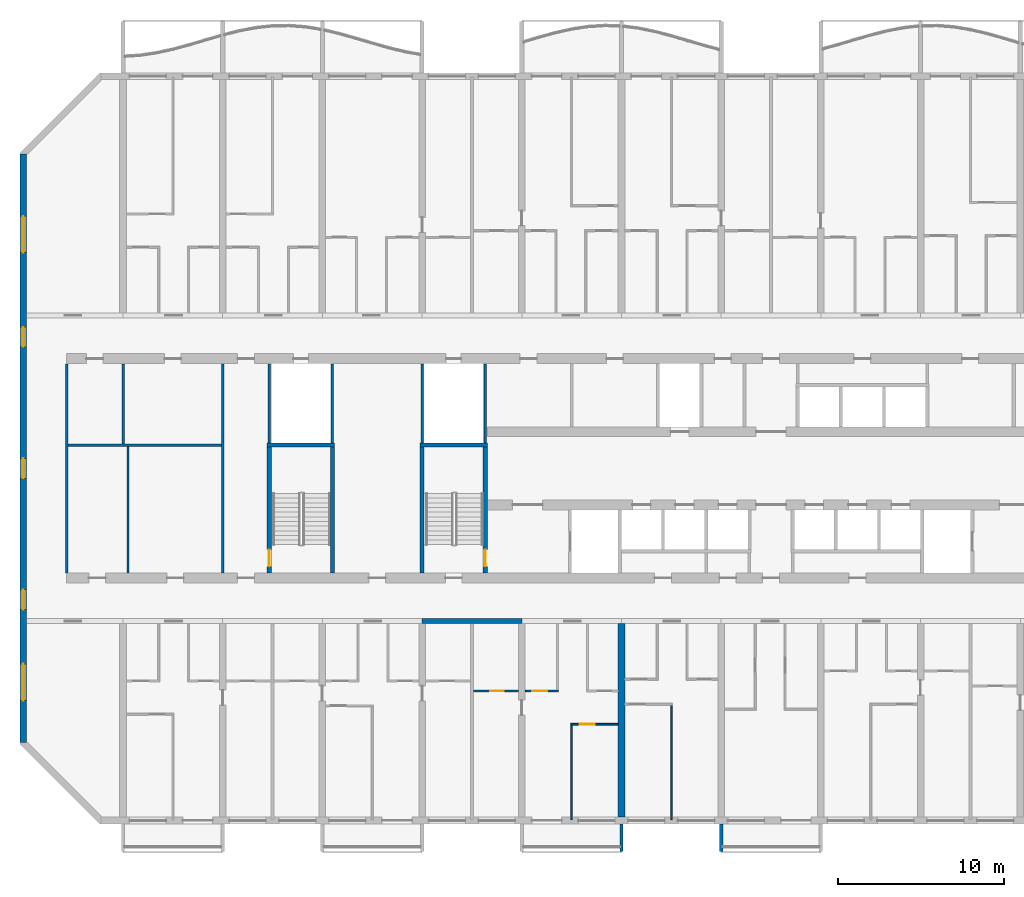
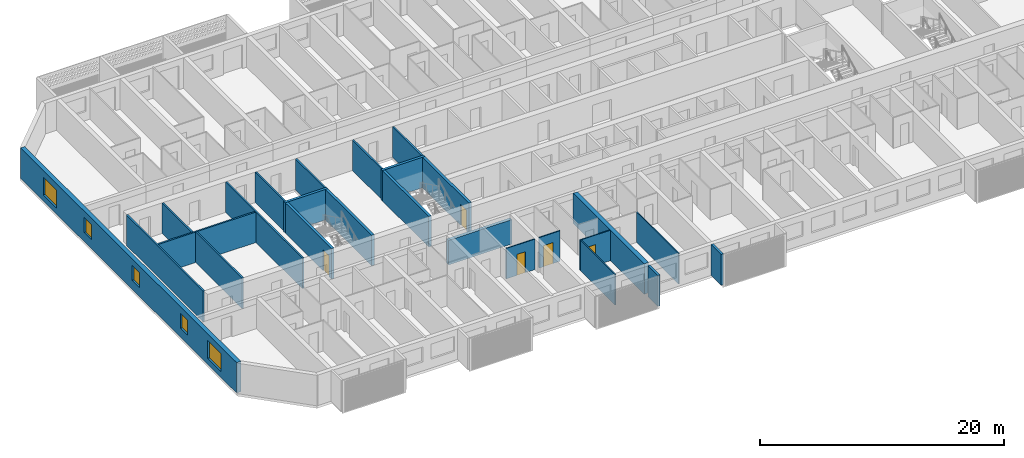
# One storey, part 3 of 39: 25 walls, 5 doors, 5 windows, 10 openings.
"""IFC4 building model written with IfcOpenShell, lengths in metres."""

from ifc_helpers import new_model, si_unit, direction, frame, frame_2d, origin, place, context, subcontext, project, spatial, polyline, rectangle, outline, extrude, source, transform, mapped, material, layer, layer_set, type_object, element, fill, save


model = new_model("IFC4")

# Units and contexts
model_context = context("Model", 3, precision=1e-05, world=origin(), true_north=direction((0.0, 1.0)))
body_context = subcontext(model_context, "Body", "Model", "MODEL_VIEW")
ifc_project = project(units=[si_unit("LENGTHUNIT", "METRE"), si_unit("AREAUNIT", "SQUARE_METRE"), si_unit("VOLUMEUNIT", "CUBIC_METRE"), si_unit("PLANEANGLEUNIT", "RADIAN"), si_unit("MASSUNIT", "GRAM", prefix="KILO")], contexts=[model_context])

# Site, building, storey
site_placement = place(None, origin())
site = spatial("IfcSite", under=ifc_project, at=site_placement, CompositionType="ELEMENT")
building_placement = place(site_placement, origin())
building = spatial("IfcBuilding", under=site, at=building_placement, Name="Poui Terraces", CompositionType="ELEMENT")
storey_placement = place(building_placement, frame((0.0, 0.0, 59.699951171875)))
storey = spatial("IfcBuildingStorey", under=building, at=storey_placement, Name="L16", CompositionType="ELEMENT", Elevation=59.699951171875)

# Walls
ifc_material_1 = material(Name="Fire-rated plasterboard wall")
ifc_layer_1 = layer(ifc_material_1, 0.14990234375)
ifc_layer_set_1 = layer_set([ifc_layer_1], Name="Fire-rated plasterboard wall")
wall_type_1 = type_object("IfcWallType", Name="CORRIDOR WALL 150", PredefinedType="PARTITIONING", material=ifc_layer_set_1)
for number, where, z_axis, x_axis, name in (
    (1, (8.60009765625, 14.909912109375, 0.0), (0.0, 0.0, 1.0), (0.0, 1.0, 0.0), "CORRIDOR WALL 150"),
    (2, (18.0, 14.909912109375, 0.0), (0.0, 0.0, 1.0), (0.0, 1.0, 0.0), "CORRIDOR WALL 150"),
):
    element("IfcWall", number, at=place(storey_placement, frame(where, z_axis=z_axis, x_axis=x_axis)), inside=storey, type_object=wall_type_1, Name=name, PredefinedType="PARTITIONING", context=body_context, shape_type="SweptSolid", body=[
        extrude(rectangle(XDim=12.580078125, YDim=0.14990234375, at=frame_2d((6.2900390625, 0.0))), origin(), (0.0, 0.0, 1.0), 3.050048828125),
    ])
ifc_material_2 = material(Name="Concrete 80 MPa", Category="concrete")
ifc_layer_2 = layer(ifc_material_2, 0.300048828125)
ifc_layer_set_2 = layer_set([ifc_layer_2], Name="Concrete 80 MPa")
wall_type_2 = type_object("IfcWallType", Name="CORRIDOR WALL 300 80MPa", PredefinedType="SHEAR", material=ifc_layer_set_2)
wall_1_placement = place(storey_placement, frame((30.0, 12.0, 0.0), z_axis=(0.0, 0.0, 1.0), x_axis=(1.0, 0.0, 0.0)))
element("IfcWall", 3, at=wall_1_placement, inside=storey, type_object=wall_type_2, Name="CORRIDOR WALL LINE B BAY 5", PredefinedType="SHEAR", context=body_context, shape_type="SweptSolid", body=[
    extrude(rectangle(XDim=6.0, YDim=0.300048828125, at=frame_2d((3.0, 0.0))), origin(), (0.0, 0.0, 1.0), 2.449951171875),
])
ifc_layer_3 = layer(ifc_material_2, 0.39990234375)
ifc_layer_set_3 = layer_set([ifc_layer_3], Name="Concrete 80 MPa")
wall_type_3 = type_object("IfcWallType", Name="CROSS WALL 400 80MPa", PredefinedType="SHEAR", material=ifc_layer_set_3)
wall_2_placement = place(storey_placement, frame((42.0, 0.199951171875, 0.0), z_axis=(0.0, 0.0, 1.0), x_axis=(0.0, 1.0, 0.0)))
element("IfcWall", 4, at=wall_2_placement, inside=storey, type_object=wall_type_3, Name="CROSS WALL LINE 8 SOUTH", PredefinedType="SHEAR", context=body_context, shape_type="SweptSolid", body=[
    extrude(rectangle(XDim=11.650146484375, YDim=0.39990234375, at=frame_2d((5.8251953125, 0.0))), origin(), (0.0, 0.0, 1.0), 3.050048828125),
])

# Wall, openings, windows
ifc_layer_4 = layer(ifc_material_2, 0.39990234375)
ifc_layer_set_4 = layer_set([ifc_layer_4], Name="Concrete 80 MPa")
wall_type_4 = type_object("IfcWallType", Name="END WALL 400 80MPa", PredefinedType="SHEAR", material=ifc_layer_set_4)
wall_3_placement = place(storey_placement, frame((6.0, 4.682861328125, 0.0), z_axis=(0.0, 0.0, 1.0), x_axis=(0.0, 1.0, 0.0)))
wall_3 = element("IfcWall", 5, at=wall_3_placement, inside=storey, type_object=wall_type_4, Name="END WALL WEST", PredefinedType="SHEAR", context=body_context, shape_type="SweptSolid", body=[
    extrude(rectangle(XDim=35.434326171875, YDim=0.39990234375, at=frame_2d((17.71728515625, 0.0))), origin(), (0.0, 0.0, 1.0), 3.050048828125),
])
opening_1_placement = place(wall_3_placement, frame((23.817138671875, 0.0, 0.89990234375)))
opening_1 = element("IfcOpeningElement", 6, at=opening_1_placement, cuts=wall_3, Name="Opening W2", PredefinedType="OPENING", context=body_context, shape_type="SweptSolid", body=[
    extrude(rectangle(XDim=1.199951171875, YDim=1.5, at=frame_2d((0.60009765625, 0.75))), frame((0.0, 0.2099609375, 0.0), z_axis=(0.0, -1.0, 0.0), x_axis=(1.0, 0.0, 0.0)), (0.0, 0.0, 1.0), 0.419921875),
])
opening_2_placement = place(wall_3_placement, frame((8.01708984375, 0.0, 0.89990234375)))
opening_2 = element("IfcOpeningElement", 7, at=opening_2_placement, cuts=wall_3, Name="Opening W2", PredefinedType="OPENING", context=body_context, shape_type="SweptSolid", body=[
    extrude(rectangle(XDim=1.199951171875, YDim=1.5, at=frame_2d((0.60009765625, 0.75))), frame((0.0, 0.2099609375, 0.0), z_axis=(0.0, -1.0, 0.0), x_axis=(1.0, 0.0, 0.0)), (0.0, 0.0, 1.0), 0.419921875),
])
opening_3_placement = place(wall_3_placement, frame((15.917236328125, 0.0, 0.89990234375)))
opening_3 = element("IfcOpeningElement", 8, at=opening_3_placement, cuts=wall_3, Name="Opening W2", PredefinedType="OPENING", context=body_context, shape_type="SweptSolid", body=[
    extrude(rectangle(XDim=1.199951171875, YDim=1.5, at=frame_2d((0.60009765625, 0.75))), frame((0.0, 0.2099609375, 0.0), z_axis=(0.0, -1.0, 0.0), x_axis=(1.0, 0.0, 0.0)), (0.0, 0.0, 1.0), 0.419921875),
])
opening_4_placement = place(wall_3_placement, frame((29.493408203125, 0.0, 0.60009765625)))
opening_4 = element("IfcOpeningElement", 9, at=opening_4_placement, cuts=wall_3, Name="Opening W3", PredefinedType="OPENING", context=body_context, shape_type="SweptSolid", body=[
    extrude(rectangle(XDim=2.199951171875, YDim=1.800048828125, at=frame_2d((1.10009765625, 0.89990234375))), frame((0.0, 0.2099609375, 0.0), z_axis=(0.0, -1.0, 0.0), x_axis=(1.0, 0.0, 0.0)), (0.0, 0.0, 1.0), 0.419921875),
])
opening_5_placement = place(wall_3_placement, frame((2.541015625, 0.0, 0.60009765625)))
opening_5 = element("IfcOpeningElement", 10, at=opening_5_placement, cuts=wall_3, Name="Opening W3", PredefinedType="OPENING", context=body_context, shape_type="SweptSolid", body=[
    extrude(rectangle(XDim=2.199951171875, YDim=1.800048828125, at=frame_2d((1.10009765625, 0.89990234375))), frame((0.0, 0.2099609375, 0.0), z_axis=(0.0, -1.0, 0.0), x_axis=(1.0, 0.0, 0.0)), (0.0, 0.0, 1.0), 0.419921875),
])
ifc_material_3 = material(Name="Clear glass in aluminium frame", Category="aluminium")
window_type_1 = type_object("IfcWindowType", Name="WINDOW 1200X1500", PartitioningType="SINGLE_PANEL", PredefinedType="WINDOW", material=ifc_material_3)
window_1_placement = place(opening_1_placement, origin())
window_1 = element("IfcWindow", 11, at=window_1_placement, inside=storey, type_object=window_type_1, Name="W2 WINDOW", OverallHeight=1.5, OverallWidth=1.199951171875, PartitioningType="SINGLE_PANEL", PredefinedType="WINDOW", context=body_context, shape_type="SweptSolid", body=[
    extrude(rectangle(XDim=1.199951171875, YDim=1.5, at=frame_2d((0.60009765625, 0.75))), frame((0.0, 0.030029296875, 0.0), z_axis=(0.0, -1.0, 0.0), x_axis=(1.0, 0.0, 0.0)), (0.0, 0.0, 1.0), 0.06005859375),
])
fill(opening_1, window_1)
window_2_placement = place(opening_2_placement, origin())
window_2 = element("IfcWindow", 12, at=window_2_placement, inside=storey, type_object=window_type_1, Name="W2 WINDOW", OverallHeight=1.5, OverallWidth=1.199951171875, PartitioningType="SINGLE_PANEL", PredefinedType="WINDOW", context=body_context, shape_type="SweptSolid", body=[
    extrude(rectangle(XDim=1.199951171875, YDim=1.5, at=frame_2d((0.60009765625, 0.75))), frame((0.0, 0.030029296875, 0.0), z_axis=(0.0, -1.0, 0.0), x_axis=(1.0, 0.0, 0.0)), (0.0, 0.0, 1.0), 0.06005859375),
])
fill(opening_2, window_2)
window_3_placement = place(opening_3_placement, origin())
window_3 = element("IfcWindow", 13, at=window_3_placement, inside=storey, type_object=window_type_1, Name="W2 WINDOW", OverallHeight=1.5, OverallWidth=1.199951171875, PartitioningType="SINGLE_PANEL", PredefinedType="WINDOW", context=body_context, shape_type="SweptSolid", body=[
    extrude(rectangle(XDim=1.199951171875, YDim=1.5, at=frame_2d((0.60009765625, 0.75))), frame((0.0, 0.030029296875, 0.0), z_axis=(0.0, -1.0, 0.0), x_axis=(1.0, 0.0, 0.0)), (0.0, 0.0, 1.0), 0.06005859375),
])
fill(opening_3, window_3)
window_type_2 = type_object("IfcWindowType", Name="WINDOW 2200X1800", PartitioningType="DOUBLE_PANEL_HORIZONTAL", PredefinedType="WINDOW", material=ifc_material_3)
window_4_placement = place(opening_4_placement, origin())
window_4 = element("IfcWindow", 14, at=window_4_placement, inside=storey, type_object=window_type_2, Name="W3 WINDOW", OverallHeight=1.800048828125, OverallWidth=2.199951171875, PartitioningType="DOUBLE_PANEL_HORIZONTAL", PredefinedType="WINDOW", context=body_context, shape_type="SweptSolid", body=[
    extrude(rectangle(XDim=2.199951171875, YDim=1.800048828125, at=frame_2d((1.10009765625, 0.89990234375))), frame((0.0, 0.030029296875, 0.0), z_axis=(0.0, -1.0, 0.0), x_axis=(1.0, 0.0, 0.0)), (0.0, 0.0, 1.0), 0.06005859375),
])
fill(opening_4, window_4)
window_5_placement = place(opening_5_placement, origin())
window_5 = element("IfcWindow", 15, at=window_5_placement, inside=storey, type_object=window_type_2, Name="W3 WINDOW", OverallHeight=1.800048828125, OverallWidth=2.199951171875, PartitioningType="DOUBLE_PANEL_HORIZONTAL", PredefinedType="WINDOW", context=body_context, shape_type="SweptSolid", body=[
    extrude(rectangle(XDim=2.199951171875, YDim=1.800048828125, at=frame_2d((1.10009765625, 0.89990234375))), frame((0.0, 0.030029296875, 0.0), z_axis=(0.0, -1.0, 0.0), x_axis=(1.0, 0.0, 0.0)), (0.0, 0.0, 1.0), 0.06005859375),
])
fill(opening_5, window_5)

# Wall, opening, door
ifc_material_4 = material(Name="Plasterboard partition")
ifc_layer_5 = layer(ifc_material_4, 0.10009765625)
ifc_layer_set_5 = layer_set([ifc_layer_5], Name="Plasterboard partition")
wall_type_5 = type_object("IfcWallType", Name="FLAT PARTITION 100", PredefinedType="PARTITIONING", material=ifc_layer_set_5)
wall_4_placement = place(storey_placement, frame((38.949951171875, 5.800048828125, 0.0), z_axis=(0.0, 0.0, 1.0), x_axis=(1.0, 0.0, 0.0)))
wall_4 = element("IfcWall", 16, at=wall_4_placement, inside=storey, type_object=wall_type_5, Name="FLAT PARTITION 100", PredefinedType="PARTITIONING", context=body_context, shape_type="SweptSolid", body=[
    extrude(rectangle(XDim=2.840087890625, YDim=0.10009765625, at=frame_2d((1.419921875, 0.0))), origin(), (0.0, 0.0, 1.0), 3.050048828125),
])
opening_6_placement = place(wall_4_placement, frame((0.550048828125, 0.0, 0.0)))
opening_6 = element("IfcOpeningElement", 17, at=opening_6_placement, cuts=wall_4, Name="Opening D90", PredefinedType="OPENING", context=body_context, shape_type="SweptSolid", body=[
    extrude(rectangle(XDim=0.89990234375, YDim=2.10009765625, at=frame_2d((0.449951171875, 1.050048828125))), frame((0.0, 0.06005859375, 0.0), z_axis=(0.0, -1.0, 0.0), x_axis=(1.0, 0.0, 0.0)), (0.0, 0.0, 1.0), 0.1201171875),
])
ifc_material_5 = material(Name="Solid core timber door", Category="wood")
door_type_1 = type_object("IfcDoorType", Name="INTERNAL DOOR 900 X 2100", OperationType="NOTDEFINED", PredefinedType="DOOR", material=ifc_material_5)
door_1_placement = place(opening_6_placement, origin())
door_1 = element("IfcDoor", 18, at=door_1_placement, inside=storey, type_object=door_type_1, Name="INTERNAL DOOR 103", OperationType="SINGLE_SWING_RIGHT", OverallHeight=2.10009765625, OverallWidth=0.89990234375, PredefinedType="DOOR", context=body_context, shape_type="SweptSolid", body=[
    extrude(rectangle(XDim=0.89990234375, YDim=2.10009765625, at=frame_2d((0.449951171875, 1.050048828125))), frame((0.0, 0.02490234375, 0.0), z_axis=(0.0, -1.0, 0.0), x_axis=(1.0, 0.0, 0.0)), (0.0, 0.0, 1.0), 0.050048828125),
])
fill(opening_6, door_1)

wall_5_placement = place(storey_placement, frame((33.10009765625, 7.800048828125, 0.0), z_axis=(0.0, 0.0, 1.0), x_axis=(1.0, 0.0, 0.0)))
wall_5 = element("IfcWall", 19, at=wall_5_placement, inside=storey, type_object=wall_type_5, Name="FLAT PARTITION 100", PredefinedType="PARTITIONING", context=body_context, shape_type="SweptSolid", body=[
    extrude(rectangle(XDim=2.68994140625, YDim=0.10009765625, at=frame_2d((1.344970703125, 0.0))), origin(), (0.0, 0.0, 1.0), 3.050048828125),
])
opening_7_placement = place(wall_5_placement, frame((1.0, 0.0, 0.0)))
opening_7 = element("IfcOpeningElement", 20, at=opening_7_placement, cuts=wall_5, Name="Opening D80", PredefinedType="OPENING", context=body_context, shape_type="SweptSolid", body=[
    extrude(rectangle(XDim=0.800048828125, YDim=2.10009765625, at=frame_2d((0.39990234375, 1.050048828125))), frame((0.0, 0.06005859375, 0.0), z_axis=(0.0, -1.0, 0.0), x_axis=(1.0, 0.0, 0.0)), (0.0, 0.0, 1.0), 0.1201171875),
])
door_type_2 = type_object("IfcDoorType", Name="BATHROOM, LAUNDRY AND STORE DOOR 800 X 2100", OperationType="NOTDEFINED", PredefinedType="DOOR", material=ifc_material_5)
door_2_placement = place(opening_7_placement, origin())
door_2 = element("IfcDoor", 21, at=door_2_placement, inside=storey, type_object=door_type_2, Name="BATHROOM, LAUNDRY AND STORE DOOR 099", OperationType="SINGLE_SWING_RIGHT", OverallHeight=2.10009765625, OverallWidth=0.800048828125, PredefinedType="DOOR", context=body_context, shape_type="SweptSolid", body=[
    extrude(rectangle(XDim=0.800048828125, YDim=2.10009765625, at=frame_2d((0.39990234375, 1.050048828125))), frame((0.0, 0.02490234375, 0.0), z_axis=(0.0, -1.0, 0.0), x_axis=(1.0, 0.0, 0.0)), (0.0, 0.0, 1.0), 0.050048828125),
])
fill(opening_7, door_2)

wall_6_placement = place(storey_placement, frame((36.2099609375, 7.800048828125, 0.0), z_axis=(0.0, 0.0, 1.0), x_axis=(1.0, 0.0, 0.0)))
wall_6 = element("IfcWall", 22, at=wall_6_placement, inside=storey, type_object=wall_type_5, Name="FLAT PARTITION 100", PredefinedType="PARTITIONING", context=body_context, shape_type="SweptSolid", body=[
    extrude(rectangle(XDim=1.989990234375, YDim=0.10009765625, at=frame_2d((0.9951171875, 0.0))), origin(), (0.0, 0.0, 1.0), 3.050048828125),
])
opening_8_placement = place(wall_6_placement, frame((0.4150390625, 0.0, 0.0)))
opening_8 = element("IfcOpeningElement", 23, at=opening_8_placement, cuts=wall_6, Name="Opening D90", PredefinedType="OPENING", context=body_context, shape_type="SweptSolid", body=[
    extrude(rectangle(XDim=0.89990234375, YDim=2.10009765625, at=frame_2d((0.449951171875, 1.050048828125))), frame((0.0, 0.06005859375, 0.0), z_axis=(0.0, -1.0, 0.0), x_axis=(1.0, 0.0, 0.0)), (0.0, 0.0, 1.0), 0.1201171875),
])
door_3_placement = place(opening_8_placement, origin())
door_3 = element("IfcDoor", 24, at=door_3_placement, inside=storey, type_object=door_type_1, Name="INTERNAL DOOR 101", OperationType="SINGLE_SWING_RIGHT", OverallHeight=2.10009765625, OverallWidth=0.89990234375, PredefinedType="DOOR", context=body_context, shape_type="SweptSolid", body=[
    extrude(rectangle(XDim=0.89990234375, YDim=2.10009765625, at=frame_2d((0.449951171875, 1.050048828125))), frame((0.0, 0.02490234375, 0.0), z_axis=(0.0, -1.0, 0.0), x_axis=(1.0, 0.0, 0.0)), (0.0, 0.0, 1.0), 0.050048828125),
])
fill(opening_8, door_3)

# Walls
wall_7_placement = place(storey_placement, frame((39.0, 0.06005859375, 0.0), z_axis=(0.0, 0.0, 1.0), x_axis=(0.0, 1.0, 0.0)))
element("IfcWall", 25, at=wall_7_placement, inside=storey, type_object=wall_type_5, Name="FLAT PARTITION 100", PredefinedType="PARTITIONING", context=body_context, shape_type="SweptSolid", body=[
    extrude(rectangle(XDim=5.68994140625, YDim=0.10009765625, at=frame_2d((2.844970703125, 0.0))), origin(), (0.0, 0.0, 1.0), 3.050048828125),
])
wall_8_placement = place(storey_placement, frame((45.0, 0.06005859375, 0.0), z_axis=(0.0, 0.0, 1.0), x_axis=(0.0, 1.0, 0.0)))
element("IfcWall", 26, at=wall_8_placement, inside=storey, type_object=wall_type_5, Name="FLAT PARTITION 100", PredefinedType="PARTITIONING", context=body_context, shape_type="SweptSolid", body=[
    extrude(rectangle(XDim=6.889892578125, YDim=0.10009765625, at=frame_2d((3.44482421875, 0.0))), origin(), (0.0, 0.0, 1.0), 3.050048828125),
])
ifc_layer_6 = layer(ifc_material_4, 0.14990234375)
ifc_layer_set_6 = layer_set([ifc_layer_6], Name="Plasterboard partition")
wall_type_6 = type_object("IfcWallType", Name="PARTITION WALL 150", PredefinedType="PARTITIONING", material=ifc_layer_set_6)
wall_9_placement = place(storey_placement, frame((8.675048828125, 22.60009765625, 0.0), z_axis=(0.0, 0.0, 1.0), x_axis=(1.0, 0.0, 0.0)))
element("IfcWall", 27, at=wall_9_placement, inside=storey, type_object=wall_type_6, Name="PARTITION WALL 150", PredefinedType="PARTITIONING", context=body_context, shape_type="SweptSolid", body=[
    extrude(rectangle(XDim=9.25, YDim=0.14990234375, at=frame_2d((4.625, 0.0))), origin(), (0.0, 0.0, 1.0), 3.050048828125),
])
wall_10_placement = place(storey_placement, frame((12.0, 22.675048828125, 0.0), z_axis=(0.0, 0.0, 1.0), x_axis=(0.0, 1.0, 0.0)))
element("IfcWall", 28, at=wall_10_placement, inside=storey, type_object=wall_type_6, Name="PARTITION WALL 150", PredefinedType="PARTITIONING", context=body_context, shape_type="SweptSolid", body=[
    extrude(rectangle(XDim=4.81494140625, YDim=0.14990234375, at=frame_2d((2.407470703125, 0.0))), origin(), (0.0, 0.0, 1.0), 3.050048828125),
])
wall_11_placement = place(storey_placement, frame((12.300048828125, 14.909912109375, 0.0), z_axis=(0.0, 0.0, 1.0), x_axis=(0.0, 1.0, 0.0)))
element("IfcWall", 29, at=wall_11_placement, inside=storey, type_object=wall_type_6, Name="PARTITION WALL 150", PredefinedType="PARTITIONING", context=body_context, shape_type="SweptSolid", body=[
    extrude(rectangle(XDim=7.614990234375, YDim=0.14990234375, at=frame_2d((3.8076171875, 0.0))), origin(), (0.0, 0.0, 1.0), 3.050048828125),
])
ifc_material_6 = material(Name="Fire-rated plasterboard riser wall")
ifc_layer_7 = layer(ifc_material_6, 0.14990234375)
ifc_layer_set_7 = layer_set([ifc_layer_7], Name="Fire-rated plasterboard riser wall")
wall_type_7 = type_object("IfcWallType", Name="RISER WALL 150", PredefinedType="PARTITIONING", material=ifc_layer_set_7)
for number, where, z_axis, x_axis, name in (
    (30, (20.800048828125, 22.735107421875, 0.0), (0.0, 0.0, 1.0), (0.0, 1.0, 0.0), "RISER WALL 150"),
    (31, (24.60009765625, 22.735107421875, 0.0), (0.0, 0.0, 1.0), (0.0, 1.0, 0.0), "RISER WALL 150"),
    (32, (30.0, 22.735107421875, 0.0), (0.0, 0.0, 1.0), (0.0, 1.0, 0.0), "RISER WALL 150"),
    (33, (33.800048828125, 22.735107421875, 0.0), (0.0, 0.0, 1.0), (0.0, 1.0, 0.0), "RISER WALL 150"),
):
    element("IfcWall", number, at=place(storey_placement, frame(where, z_axis=z_axis, x_axis=x_axis)), inside=storey, type_object=wall_type_7, Name=name, PredefinedType="PARTITIONING", context=body_context, shape_type="SweptSolid", body=[
        extrude(rectangle(XDim=4.7548828125, YDim=0.14990234375, at=frame_2d((2.37744140625, 0.0))), origin(), (0.0, 0.0, 1.0), 3.050048828125),
    ])
ifc_layer_8 = layer(ifc_material_2, 0.25)
ifc_layer_set_8 = layer_set([ifc_layer_8], Name="Concrete 80 MPa")
wall_type_8 = type_object("IfcWallType", Name="STAIR CORE WALL 250 80 MPA", PredefinedType="SOLIDWALL", material=ifc_layer_set_8)
wall_12_placement = place(storey_placement, frame((30.0, 14.89990234375, 0.0), z_axis=(0.0, 0.0, 1.0), x_axis=(0.0, 1.0, 0.0)))
element("IfcWall", 34, at=wall_12_placement, inside=storey, type_object=wall_type_8, Name="STAIR CORE WALL", PredefinedType="SOLIDWALL", context=body_context, shape_type="SweptSolid", body=[
    extrude(rectangle(XDim=7.5751953125, YDim=0.25, at=frame_2d((3.78759765625, 0.0))), origin(), (0.0, 0.0, 1.0), 3.050048828125),
])

# Wall, opening, door
wall_13_placement = place(storey_placement, frame((33.800048828125, 14.89990234375, 0.0), z_axis=(0.0, 0.0, 1.0), x_axis=(0.0, 1.0, 0.0)))
wall_13 = element("IfcWall", 35, at=wall_13_placement, inside=storey, type_object=wall_type_8, Name="STAIR CORE WALL", PredefinedType="SOLIDWALL", context=body_context, shape_type="SweptSolid", body=[
    extrude(rectangle(XDim=7.5751953125, YDim=0.25, at=frame_2d((3.78759765625, 0.0))), origin(), (0.0, 0.0, 1.0), 3.050048828125),
])
opening_9_placement = place(wall_13_placement, frame((0.39990234375, 0.0, 0.0)))
opening_9 = element("IfcOpeningElement", 36, at=opening_9_placement, cuts=wall_13, Name="Opening FD60S", PredefinedType="OPENING", context=body_context, shape_type="SweptSolid", body=[
    extrude(rectangle(XDim=1.0, YDim=2.10009765625, at=frame_2d((0.5, 1.050048828125))), frame((0.0, 0.135009765625, 0.0), z_axis=(0.0, -1.0, 0.0), x_axis=(1.0, 0.0, 0.0)), (0.0, 0.0, 1.0), 0.27001953125),
])
ifc_material_7 = material(Name="Steel fire door", Category="steel")
door_type_3 = type_object("IfcDoorType", Name="STAIR DOOR 1000 X 2100", OperationType="NOTDEFINED", PredefinedType="DOOR", material=ifc_material_7)
door_4_placement = place(opening_9_placement, origin())
door_4 = element("IfcDoor", 37, at=door_4_placement, inside=storey, type_object=door_type_3, Name="STAIR DOOR 137", OperationType="SINGLE_SWING_LEFT", OverallHeight=2.10009765625, OverallWidth=1.0, PredefinedType="DOOR", context=body_context, shape_type="SweptSolid", body=[
    extrude(rectangle(XDim=1.0, YDim=2.10009765625, at=frame_2d((0.5, 1.050048828125))), frame((0.0, 0.02490234375, 0.0), z_axis=(0.0, -1.0, 0.0), x_axis=(1.0, 0.0, 0.0)), (0.0, 0.0, 1.0), 0.050048828125),
])
fill(opening_9, door_4)

# Wall
wall_14_placement = place(storey_placement, frame((29.875, 22.60009765625, 0.0), z_axis=(0.0, 0.0, 1.0), x_axis=(1.0, 0.0, 0.0)))
element("IfcWall", 38, at=wall_14_placement, inside=storey, type_object=wall_type_8, Name="STAIR CORE WALL", PredefinedType="SOLIDWALL", context=body_context, shape_type="SweptSolid", body=[
    extrude(rectangle(XDim=4.050048828125, YDim=0.25, at=frame_2d((2.02490234375, 0.0))), origin(), (0.0, 0.0, 1.0), 3.050048828125),
])

# Wall, opening, door
wall_15_placement = place(storey_placement, frame((20.800048828125, 14.89990234375, 0.0), z_axis=(0.0, 0.0, 1.0), x_axis=(0.0, 1.0, 0.0)))
wall_15 = element("IfcWall", 39, at=wall_15_placement, inside=storey, type_object=wall_type_8, Name="STAIR CORE WALL", PredefinedType="SOLIDWALL", context=body_context, shape_type="SweptSolid", body=[
    extrude(rectangle(XDim=7.5751953125, YDim=0.25, at=frame_2d((3.78759765625, 0.0))), origin(), (0.0, 0.0, 1.0), 3.050048828125),
])
opening_10_placement = place(wall_15_placement, frame((0.39990234375, 0.0, 0.0)))
opening_10 = element("IfcOpeningElement", 40, at=opening_10_placement, cuts=wall_15, Name="Opening FD60S", PredefinedType="OPENING", context=body_context, shape_type="SweptSolid", body=[
    extrude(rectangle(XDim=1.0, YDim=2.10009765625, at=frame_2d((0.5, 1.050048828125))), frame((0.0, 0.135009765625, 0.0), z_axis=(0.0, -1.0, 0.0), x_axis=(1.0, 0.0, 0.0)), (0.0, 0.0, 1.0), 0.27001953125),
])
door_5_placement = place(opening_10_placement, frame((1.0, 0.0, 0.0), z_axis=(0.0, 0.0, 1.0), x_axis=(-1.0, 0.0, 0.0)))
door_5 = element("IfcDoor", 41, at=door_5_placement, inside=storey, type_object=door_type_3, Name="STAIR DOOR 151", OperationType="SINGLE_SWING_RIGHT", OverallHeight=2.10009765625, OverallWidth=1.0, PredefinedType="DOOR", context=body_context, shape_type="SweptSolid", body=[
    extrude(rectangle(XDim=1.0, YDim=2.10009765625, at=frame_2d((0.5, 1.050048828125))), frame((0.0, 0.02490234375, 0.0), z_axis=(0.0, -1.0, 0.0), x_axis=(1.0, 0.0, 0.0)), (0.0, 0.0, 1.0), 0.050048828125),
])
fill(opening_10, door_5)

# Walls
wall_16_placement = place(storey_placement, frame((24.60009765625, 14.89990234375, 0.0), z_axis=(0.0, 0.0, 1.0), x_axis=(0.0, 1.0, 0.0)))
element("IfcWall", 42, at=wall_16_placement, inside=storey, type_object=wall_type_8, Name="STAIR CORE WALL", PredefinedType="SOLIDWALL", context=body_context, shape_type="SweptSolid", body=[
    extrude(rectangle(XDim=7.5751953125, YDim=0.25, at=frame_2d((3.78759765625, 0.0))), origin(), (0.0, 0.0, 1.0), 3.050048828125),
])
wall_17_placement = place(storey_placement, frame((20.675048828125, 22.60009765625, 0.0), z_axis=(0.0, 0.0, 1.0), x_axis=(1.0, 0.0, 0.0)))
element("IfcWall", 43, at=wall_17_placement, inside=storey, type_object=wall_type_8, Name="STAIR CORE WALL", PredefinedType="SOLIDWALL", context=body_context, shape_type="SweptSolid", body=[
    extrude(rectangle(XDim=4.050048828125, YDim=0.25, at=frame_2d((2.02490234375, 0.0))), origin(), (0.0, 0.0, 1.0), 3.050048828125),
])
ifc_material_8 = material(Name="Precast concrete 40 MPa", Category="concrete")
ifc_layer_9 = layer(ifc_material_8, 0.199951171875)
ifc_layer_set_9 = layer_set([ifc_layer_9], Name="Precast concrete 40 MPa")
wall_type_9 = type_object("IfcWallType", Name="REAR FIN 200", PredefinedType="STANDARD", material=ifc_layer_set_9)
shared_shape = source(origin(), body_context, "Body", "SweptSolid", [
    extrude(outline(polyline([(0.0, 0.0), (0.2001953125, 0.0), (0.2001953125, 1.650146484375), (0.0, 1.650146484375), (0.0, 0.0)])), origin(), (0.0, 0.0, 1.0), 3.10009765625),
])
for number, where, name in (
    (44, (41.89990234375, -1.85009765625, 0.0), "REAR FIN"),
    (45, (47.89990234375, -1.85009765625, 0.0), "REAR FIN"),
):
    element("IfcWall", number, at=place(storey_placement, frame(where)), inside=storey, type_object=wall_type_9, Name=name, PredefinedType="STANDARD", context=body_context, shape_type="MappedRepresentation", body=[
        mapped(shared_shape, transform((0.0, 0.0, 0.0))),
    ])

save(model, "model.ifc")
